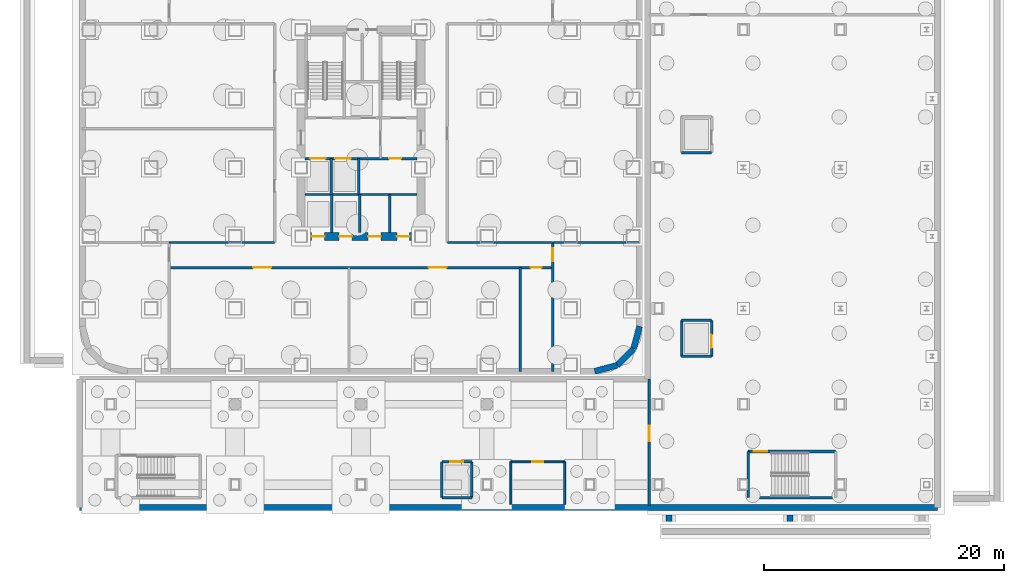
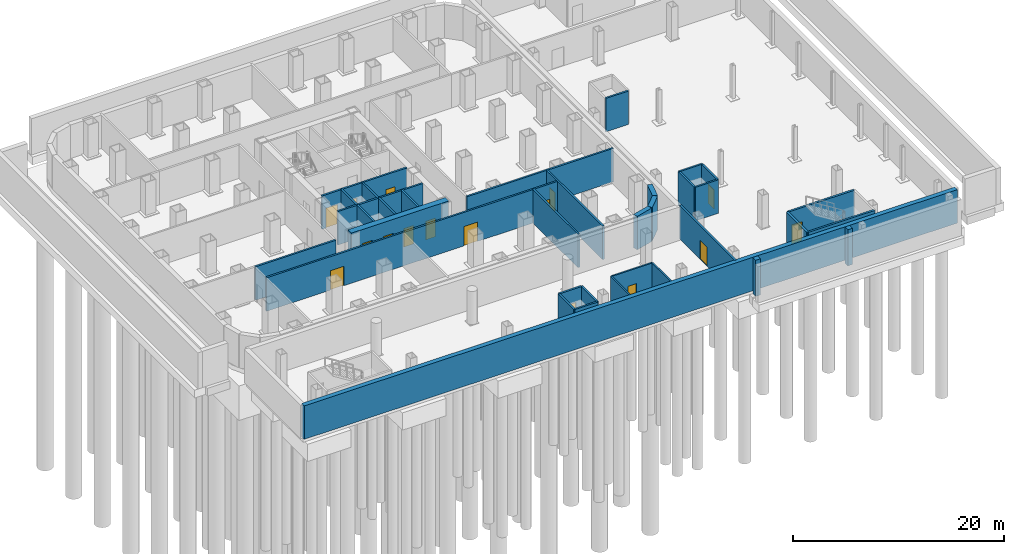
# One storey, part 7 of 16: 36 walls, 16 doors, 16 openings.
"""IFC4 building model written with IfcOpenShell, lengths in metres."""

from ifc_helpers import new_model, si_unit, direction, frame, frame_2d, origin, place, context, subcontext, project, spatial, rectangle, extrude, material, layer, layer_set, type_object, element, fill, save


model = new_model("IFC4")

# Units and contexts
model_context = context("Model", 3, precision=1e-05, world=origin(), true_north=direction((0.0, 1.0)))
body_context = subcontext(model_context, "Body", "Model", "MODEL_VIEW")
ifc_project = project(units=[si_unit("LENGTHUNIT", "METRE"), si_unit("AREAUNIT", "SQUARE_METRE"), si_unit("VOLUMEUNIT", "CUBIC_METRE"), si_unit("PLANEANGLEUNIT", "RADIAN"), si_unit("MASSUNIT", "GRAM", prefix="KILO")], contexts=[model_context])

# Site, building, storey
site_placement = place(None, origin())
site = spatial("IfcSite", under=ifc_project, at=site_placement, CompositionType="ELEMENT")
building_placement = place(site_placement, origin())
building = spatial("IfcBuilding", under=site, at=building_placement, Name="Kolveth Station Tower", CompositionType="ELEMENT")
storey_placement = place(building_placement, frame((0.0, 0.0, -8.39990234375)))
storey = spatial("IfcBuildingStorey", under=building, at=storey_placement, Name="B2", CompositionType="ELEMENT", Elevation=-8.39990234375)

# Wall, openings, doors
ifc_material_1 = material(Name="Concrete C60/75", Category="concrete")
ifc_layer_1 = layer(ifc_material_1, 0.64990234375)
ifc_layer_set_1 = layer_set([ifc_layer_1], Name="Concrete C60/75")
wall_type_1 = type_object("IfcWallType", Name="Wall_CW-650", PredefinedType="SHEAR", material=ifc_layer_set_1)
wall_1_placement = place(storey_placement, frame((18.175048828125, 11.5, 0.0), z_axis=(0.0, 0.0, 1.0), x_axis=(1.0, 0.0, 0.0)))
wall_1 = element("IfcWall", 1, at=wall_1_placement, inside=storey, type_object=wall_type_1, Name="B2 Core RC Shear Wall S", PredefinedType="SHEAR", context=body_context, shape_type="SweptSolid", body=[
    extrude(rectangle(XDim=10.64990234375, YDim=0.64990234375, at=frame_2d((5.324951171875, 0.0))), origin(), (0.0, 0.0, 1.0), 3.8798828125),
])
opening_1_placement = place(wall_1_placement, frame((1.195068359375, 0.0, 0.0)))
opening_1 = element("IfcOpeningElement", 2, at=opening_1_placement, cuts=wall_1, Name="Opening LD1", PredefinedType="OPENING", context=body_context, shape_type="SweptSolid", body=[
    extrude(rectangle(XDim=1.10009765625, YDim=2.25, at=frame_2d((0.550048828125, 1.125))), frame((0.0, 0.3349609375, 0.0), z_axis=(0.0, -1.0, 0.0), x_axis=(1.0, 0.0, 0.0)), (0.0, 0.0, 1.0), 0.669921875),
])
opening_2_placement = place(wall_1_placement, frame((3.4951171875, 0.0, 0.0)))
opening_2 = element("IfcOpeningElement", 3, at=opening_2_placement, cuts=wall_1, Name="Opening LD1", PredefinedType="OPENING", context=body_context, shape_type="SweptSolid", body=[
    extrude(rectangle(XDim=1.10009765625, YDim=2.25, at=frame_2d((0.550048828125, 1.125))), frame((0.0, 0.3349609375, 0.0), z_axis=(0.0, -1.0, 0.0), x_axis=(1.0, 0.0, 0.0)), (0.0, 0.0, 1.0), 0.669921875),
])
opening_3_placement = place(wall_1_placement, frame((5.925048828125, 0.0, 0.0)))
opening_3 = element("IfcOpeningElement", 4, at=opening_3_placement, cuts=wall_1, Name="Opening FD2", PredefinedType="OPENING", context=body_context, shape_type="SweptSolid", body=[
    extrude(rectangle(XDim=1.050048828125, YDim=2.14990234375, at=frame_2d((0.52490234375, 1.074951171875))), frame((0.0, 0.3349609375, 0.0), z_axis=(0.0, -1.0, 0.0), x_axis=(1.0, 0.0, 0.0)), (0.0, 0.0, 1.0), 0.669921875),
])
opening_4_placement = place(wall_1_placement, frame((8.324951171875, 0.0, 0.0)))
opening_4 = element("IfcOpeningElement", 5, at=opening_4_placement, cuts=wall_1, Name="Opening FD2", PredefinedType="OPENING", context=body_context, shape_type="SweptSolid", body=[
    extrude(rectangle(XDim=1.050048828125, YDim=2.14990234375, at=frame_2d((0.52490234375, 1.074951171875))), frame((0.0, 0.3349609375, 0.0), z_axis=(0.0, -1.0, 0.0), x_axis=(1.0, 0.0, 0.0)), (0.0, 0.0, 1.0), 0.669921875),
])
ifc_material_2 = material(Name="Fire-rated Steel S355 leaf and frame", Category="steel")
door_type_1 = type_object("IfcDoorType", Name="Door_FD2", OperationType="NOTDEFINED", PredefinedType="DOOR", material=ifc_material_2)
door_1_placement = place(opening_3_placement, frame((1.050048828125, 0.0, 0.0), z_axis=(0.0, 0.0, 1.0), x_axis=(-1.0, 0.0, 0.0)))
door_1 = element("IfcDoor", 6, at=door_1_placement, inside=storey, type_object=door_type_1, Name="B2 Meter Room Door", OperationType="SINGLE_SWING_RIGHT", OverallHeight=2.14990234375, OverallWidth=1.050048828125, PredefinedType="DOOR", context=body_context, shape_type="SweptSolid", body=[
    extrude(rectangle(XDim=1.050048828125, YDim=2.14990234375, at=frame_2d((0.52490234375, 1.074951171875))), frame((0.0, 0.02490234375, 0.0), z_axis=(0.0, -1.0, 0.0), x_axis=(1.0, 0.0, 0.0)), (0.0, 0.0, 1.0), 0.050048828125),
])
fill(opening_3, door_1)
door_2_placement = place(opening_4_placement, frame((1.050048828125, 0.0, 0.0), z_axis=(0.0, 0.0, 1.0), x_axis=(-1.0, 0.0, 0.0)))
door_2 = element("IfcDoor", 7, at=door_2_placement, inside=storey, type_object=door_type_1, Name="B2 Telecom Room Door", OperationType="SINGLE_SWING_LEFT", OverallHeight=2.14990234375, OverallWidth=1.050048828125, PredefinedType="DOOR", context=body_context, shape_type="SweptSolid", body=[
    extrude(rectangle(XDim=1.050048828125, YDim=2.14990234375, at=frame_2d((0.52490234375, 1.074951171875))), frame((0.0, 0.02490234375, 0.0), z_axis=(0.0, -1.0, 0.0), x_axis=(1.0, 0.0, 0.0)), (0.0, 0.0, 1.0), 0.050048828125),
])
fill(opening_4, door_2)
ifc_material_3 = material(Name="Brushed stainless steel sliding landing doors", Category="steel")
door_type_2 = type_object("IfcDoorType", Name="Door_LD1", OperationType="NOTDEFINED", PredefinedType="DOOR", material=ifc_material_3)
door_3_placement = place(opening_1_placement, frame((1.10009765625, 0.0, 0.0), z_axis=(0.0, 0.0, 1.0), x_axis=(-1.0, 0.0, 0.0)))
door_3 = element("IfcDoor", 8, at=door_3_placement, inside=storey, type_object=door_type_2, Name="B2 Lift PL1 Landing Door", OperationType="DOUBLE_DOOR_SLIDING", OverallHeight=2.25, OverallWidth=1.10009765625, PredefinedType="DOOR", context=body_context, shape_type="SweptSolid", body=[
    extrude(rectangle(XDim=1.10009765625, YDim=2.25, at=frame_2d((0.550048828125, 1.125))), frame((0.0, 0.02490234375, 0.0), z_axis=(0.0, -1.0, 0.0), x_axis=(1.0, 0.0, 0.0)), (0.0, 0.0, 1.0), 0.050048828125),
])
fill(opening_1, door_3)
door_4_placement = place(opening_2_placement, frame((1.10009765625, 0.0, 0.0), z_axis=(0.0, 0.0, 1.0), x_axis=(-1.0, 0.0, 0.0)))
door_4 = element("IfcDoor", 9, at=door_4_placement, inside=storey, type_object=door_type_2, Name="B2 Lift PL2 Landing Door", OperationType="DOUBLE_DOOR_SLIDING", OverallHeight=2.25, OverallWidth=1.10009765625, PredefinedType="DOOR", context=body_context, shape_type="SweptSolid", body=[
    extrude(rectangle(XDim=1.10009765625, YDim=2.25, at=frame_2d((0.550048828125, 1.125))), frame((0.0, 0.02490234375, 0.0), z_axis=(0.0, -1.0, 0.0), x_axis=(1.0, 0.0, 0.0)), (0.0, 0.0, 1.0), 0.050048828125),
])
fill(opening_2, door_4)

# Wall, opening, door
ifc_material_4 = material(Name="Acoustic double-stud gypsum partition")
ifc_layer_2 = layer(ifc_material_4, 0.1650390625)
ifc_layer_set_2 = layer_set([ifc_layer_2], Name="Acoustic double-stud gypsum partition")
wall_type_2 = type_object("IfcWallType", Name="Wall_IW-165", PredefinedType="PARTITIONING", material=ifc_layer_set_2)
wall_2_placement = place(storey_placement, frame((36.0, -7.300048828125, 0.0), z_axis=(0.0, 0.0, 1.0), x_axis=(1.0, 0.0, 0.0)))
wall_2 = element("IfcWall", 10, at=wall_2_placement, inside=storey, type_object=wall_type_2, Name="B2 Partition Wall WL-B2-SWC-N", PredefinedType="PARTITIONING", context=body_context, shape_type="SweptSolid", body=[
    extrude(rectangle(XDim=4.5, YDim=0.1650390625, at=frame_2d((2.25, 0.0))), origin(), (0.0, 0.0, 1.0), 3.8798828125),
])
opening_5_placement = place(wall_2_placement, frame((1.800048828125, 0.0, 0.0)))
opening_5 = element("IfcOpeningElement", 11, at=opening_5_placement, cuts=wall_2, Name="Opening ID2", PredefinedType="OPENING", context=body_context, shape_type="SweptSolid", body=[
    extrude(rectangle(XDim=0.919921875, YDim=2.10009765625, at=frame_2d((0.4599609375, 1.050048828125))), frame((0.0, 0.092529296875, 0.0), z_axis=(0.0, -1.0, 0.0), x_axis=(1.0, 0.0, 0.0)), (0.0, 0.0, 1.0), 0.18505859375),
])
ifc_material_5 = material(Name="Moisture-resistant hardwood leaf", Category="wood")
door_type_3 = type_object("IfcDoorType", Name="Door_ID2", OperationType="NOTDEFINED", PredefinedType="DOOR", material=ifc_material_5)
door_5_placement = place(opening_5_placement, origin())
door_5 = element("IfcDoor", 12, at=door_5_placement, inside=storey, type_object=door_type_3, Name="B2 Station Accessible WC Door", OperationType="SINGLE_SWING_LEFT", OverallHeight=2.10009765625, OverallWidth=0.919921875, PredefinedType="DOOR", context=body_context, shape_type="SweptSolid", body=[
    extrude(rectangle(XDim=0.919921875, YDim=2.10009765625, at=frame_2d((0.4599609375, 1.050048828125))), frame((0.0, 0.02490234375, 0.0), z_axis=(0.0, -1.0, 0.0), x_axis=(1.0, 0.0, 0.0)), (0.0, 0.0, 1.0), 0.050048828125),
])
fill(opening_5, door_5)

# Walls
for number, where, z_axis, x_axis, name in (
    (13, (36.0, -10.85009765625, 0.0), (0.0, 0.0, 1.0), (0.0, 1.0, 0.0), "B2 Partition Wall WL-B2-SWC-W"),
    (14, (40.5, -10.85009765625, 0.0), (0.0, 0.0, 1.0), (0.0, 1.0, 0.0), "B2 Partition Wall WL-B2-SWC-E"),
):
    element("IfcWall", number, at=place(storey_placement, frame(where, z_axis=z_axis, x_axis=x_axis)), inside=storey, type_object=wall_type_2, Name=name, PredefinedType="PARTITIONING", context=body_context, shape_type="SweptSolid", body=[
        extrude(rectangle(XDim=3.550048828125, YDim=0.1650390625, at=frame_2d((1.77490234375, 0.0))), origin(), (0.0, 0.0, 1.0), 3.8798828125),
    ])

# Wall, openings, doors
ifc_material_6 = material(Name="Acoustic fire-rated gypsum blockwork", Category="masonry")
ifc_layer_3 = layer(ifc_material_6, 0.199951171875)
ifc_layer_set_3 = layer_set([ifc_layer_3], Name="Acoustic fire-rated gypsum blockwork")
wall_type_3 = type_object("IfcWallType", Name="Wall_IW-200", PredefinedType="PARTITIONING", material=ifc_layer_set_3)
wall_3_placement = place(storey_placement, frame((18.8349609375, 18.0, 0.0), z_axis=(0.0, 0.0, 1.0), x_axis=(1.0, 0.0, 0.0)))
wall_3 = element("IfcWall", 15, at=wall_3_placement, inside=storey, type_object=wall_type_3, Name="B2 Partition Wall WL-B2-FFL-S", PredefinedType="PARTITIONING", context=body_context, shape_type="SweptSolid", body=[
    extrude(rectangle(XDim=9.330078125, YDim=0.199951171875, at=frame_2d((4.6650390625, 0.0))), origin(), (0.0, 0.0, 1.0), 3.8798828125),
])
opening_6_placement = place(wall_3_placement, frame((0.4150390625, 0.0, 0.0)))
opening_6 = element("IfcOpeningElement", 16, at=opening_6_placement, cuts=wall_3, Name="Opening LD2", PredefinedType="OPENING", context=body_context, shape_type="SweptSolid", body=[
    extrude(rectangle(XDim=1.300048828125, YDim=2.300048828125, at=frame_2d((0.64990234375, 1.14990234375))), frame((0.0, 0.10986328125, 0.0), z_axis=(0.0, -1.0, 0.0), x_axis=(1.0, 0.0, 0.0)), (0.0, 0.0, 1.0), 0.219970703125),
])
opening_7_placement = place(wall_3_placement, frame((2.514892578125, 0.0, 0.0)))
opening_7 = element("IfcOpeningElement", 17, at=opening_7_placement, cuts=wall_3, Name="Opening LD2", PredefinedType="OPENING", context=body_context, shape_type="SweptSolid", body=[
    extrude(rectangle(XDim=1.300048828125, YDim=2.300048828125, at=frame_2d((0.64990234375, 1.14990234375))), frame((0.0, 0.10986328125, 0.0), z_axis=(0.0, -1.0, 0.0), x_axis=(1.0, 0.0, 0.0)), (0.0, 0.0, 1.0), 0.219970703125),
])
opening_8_placement = place(wall_3_placement, frame((7.014892578125, 0.0, 0.0)))
opening_8 = element("IfcOpeningElement", 18, at=opening_8_placement, cuts=wall_3, Name="Opening FD3", PredefinedType="OPENING", context=body_context, shape_type="SweptSolid", body=[
    extrude(rectangle(XDim=1.0, YDim=2.14990234375, at=frame_2d((0.5, 1.074951171875))), frame((0.0, 0.10986328125, 0.0), z_axis=(0.0, -1.0, 0.0), x_axis=(1.0, 0.0, 0.0)), (0.0, 0.0, 1.0), 0.219970703125),
])
ifc_material_7 = material(Name="Fire-rated hardwood leaf and aluminium frame", Category="wood")
door_type_4 = type_object("IfcDoorType", Name="Door_FD3", OperationType="NOTDEFINED", PredefinedType="DOOR", material=ifc_material_7)
door_6_placement = place(opening_8_placement, frame((1.0, 0.0, 0.0), z_axis=(0.0, 0.0, 1.0), x_axis=(-1.0, 0.0, 0.0)))
door_6 = element("IfcDoor", 19, at=door_6_placement, inside=storey, type_object=door_type_4, Name="B2 Core Staff Pantry Door", OperationType="SINGLE_SWING_LEFT", OverallHeight=2.14990234375, OverallWidth=1.0, PredefinedType="DOOR", context=body_context, shape_type="SweptSolid", body=[
    extrude(rectangle(XDim=1.0, YDim=2.14990234375, at=frame_2d((0.5, 1.074951171875))), frame((0.0, 0.02490234375, 0.0), z_axis=(0.0, -1.0, 0.0), x_axis=(1.0, 0.0, 0.0)), (0.0, 0.0, 1.0), 0.050048828125),
])
fill(opening_8, door_6)
ifc_material_8 = material(Name="Firefighting stainless steel sliding landing doors", Category="steel")
door_type_5 = type_object("IfcDoorType", Name="Door_LD2", OperationType="NOTDEFINED", PredefinedType="DOOR", material=ifc_material_8)
door_7_placement = place(opening_6_placement, origin())
door_7 = element("IfcDoor", 20, at=door_7_placement, inside=storey, type_object=door_type_5, Name="B2 Firefighting Lift FF1 Landing Door", OperationType="DOUBLE_DOOR_SLIDING", OverallHeight=2.300048828125, OverallWidth=1.300048828125, PredefinedType="DOOR", context=body_context, shape_type="SweptSolid", body=[
    extrude(rectangle(XDim=1.300048828125, YDim=2.300048828125, at=frame_2d((0.64990234375, 1.14990234375))), frame((0.0, 0.02490234375, 0.0), z_axis=(0.0, -1.0, 0.0), x_axis=(1.0, 0.0, 0.0)), (0.0, 0.0, 1.0), 0.050048828125),
])
fill(opening_6, door_7)
door_8_placement = place(opening_7_placement, origin())
door_8 = element("IfcDoor", 21, at=door_8_placement, inside=storey, type_object=door_type_5, Name="B2 Firefighting Lift FF2 Landing Door", OperationType="DOUBLE_DOOR_SLIDING", OverallHeight=2.300048828125, OverallWidth=1.300048828125, PredefinedType="DOOR", context=body_context, shape_type="SweptSolid", body=[
    extrude(rectangle(XDim=1.300048828125, YDim=2.300048828125, at=frame_2d((0.64990234375, 1.14990234375))), frame((0.0, 0.02490234375, 0.0), z_axis=(0.0, -1.0, 0.0), x_axis=(1.0, 0.0, 0.0)), (0.0, 0.0, 1.0), 0.050048828125),
])
fill(opening_7, door_8)

# Walls
for number, where, z_axis, x_axis, name in (
    (22, (21.02001953125, 15.0, 0.0), (0.0, 0.0, 1.0), (0.0, 1.0, 0.0), "B2 Partition Wall WL-B2-FF12"),
    (23, (23.300048828125, 15.0, 0.0), (0.0, 0.0, 1.0), (0.0, 1.0, 0.0), "B2 Partition Wall WL-B2-FF2E"),
):
    element("IfcWall", number, at=place(storey_placement, frame(where, z_axis=z_axis, x_axis=x_axis)), inside=storey, type_object=wall_type_3, Name=name, PredefinedType="PARTITIONING", context=body_context, shape_type="SweptSolid", body=[
        extrude(rectangle(XDim=3.0, YDim=0.199951171875, at=frame_2d((1.5, 0.0))), origin(), (0.0, 0.0, 1.0), 3.8798828125),
    ])
wall_4_placement = place(storey_placement, frame((18.8349609375, 15.0, 0.0), z_axis=(0.0, 0.0, 1.0), x_axis=(1.0, 0.0, 0.0)))
element("IfcWall", 24, at=wall_4_placement, inside=storey, type_object=wall_type_3, Name="B2 Partition Wall WL-B2-BOH-S", PredefinedType="PARTITIONING", context=body_context, shape_type="SweptSolid", body=[
    extrude(rectangle(XDim=9.330078125, YDim=0.199951171875, at=frame_2d((4.6650390625, 0.0))), origin(), (0.0, 0.0, 1.0), 3.8798828125),
])
for number, where, z_axis, x_axis, name in (
    (25, (21.050048828125, 11.8349609375, 0.0), (0.0, 0.0, 1.0), (0.0, 1.0, 0.0), "B2 Partition Wall WL-B2-PL12"),
    (26, (23.39990234375, 11.8349609375, 0.0), (0.0, 0.0, 1.0), (0.0, 1.0, 0.0), "B2 Partition Wall WL-B2-PL2E"),
    (27, (25.89990234375, 11.8349609375, 0.0), (0.0, 0.0, 1.0), (0.0, 1.0, 0.0), "B2 Partition Wall WL-B2-PMPH"),
):
    element("IfcWall", number, at=place(storey_placement, frame(where, z_axis=z_axis, x_axis=x_axis)), inside=storey, type_object=wall_type_3, Name=name, PredefinedType="PARTITIONING", context=body_context, shape_type="SweptSolid", body=[
        extrude(rectangle(XDim=3.1650390625, YDim=0.199951171875, at=frame_2d((1.58251953125, 0.0))), origin(), (0.0, 0.0, 1.0), 3.8798828125),
    ])

# Wall, openings, doors
wall_5_placement = place(storey_placement, frame((7.5, 8.89990234375, 0.0), z_axis=(0.0, 0.0, 1.0), x_axis=(1.0, 0.0, 0.0)))
wall_5 = element("IfcWall", 28, at=wall_5_placement, inside=storey, type_object=wall_type_3, Name="B2 Partition Wall WL-B2-BS", PredefinedType="PARTITIONING", context=body_context, shape_type="SweptSolid", body=[
    extrude(rectangle(XDim=32.0, YDim=0.199951171875, at=frame_2d((16.0, 0.0))), origin(), (0.0, 0.0, 1.0), 3.8798828125),
])
opening_9_placement = place(wall_5_placement, frame((7.0, 0.0, 0.0)))
opening_9 = element("IfcOpeningElement", 29, at=opening_9_placement, cuts=wall_5, Name="Opening FD4", PredefinedType="OPENING", context=body_context, shape_type="SweptSolid", body=[
    extrude(rectangle(XDim=1.5, YDim=2.25, at=frame_2d((0.75, 1.125))), frame((0.0, 0.10986328125, 0.0), z_axis=(0.0, -1.0, 0.0), x_axis=(1.0, 0.0, 0.0)), (0.0, 0.0, 1.0), 0.219970703125),
])
opening_10_placement = place(wall_5_placement, frame((21.64990234375, 0.0, 0.0)))
opening_10 = element("IfcOpeningElement", 30, at=opening_10_placement, cuts=wall_5, Name="Opening FD4", PredefinedType="OPENING", context=body_context, shape_type="SweptSolid", body=[
    extrude(rectangle(XDim=1.5, YDim=2.25, at=frame_2d((0.75, 1.125))), frame((0.0, 0.10986328125, 0.0), z_axis=(0.0, -1.0, 0.0), x_axis=(1.0, 0.0, 0.0)), (0.0, 0.0, 1.0), 0.219970703125),
])
opening_11_placement = place(wall_5_placement, frame((30.14990234375, 0.0, 0.0)))
opening_11 = element("IfcOpeningElement", 31, at=opening_11_placement, cuts=wall_5, Name="Opening ID2", PredefinedType="OPENING", context=body_context, shape_type="SweptSolid", body=[
    extrude(rectangle(XDim=0.919921875, YDim=2.10009765625, at=frame_2d((0.4599609375, 1.050048828125))), frame((0.0, 0.10986328125, 0.0), z_axis=(0.0, -1.0, 0.0), x_axis=(1.0, 0.0, 0.0)), (0.0, 0.0, 1.0), 0.219970703125),
])
ifc_material_9 = material(Name="Fire-rated double Steel S355 leaf", Category="steel")
door_type_6 = type_object("IfcDoorType", Name="Door_FD4", OperationType="NOTDEFINED", PredefinedType="DOOR", material=ifc_material_9)
door_9_placement = place(opening_9_placement, frame((1.5, 0.0, 0.0), z_axis=(0.0, 0.0, 1.0), x_axis=(-1.0, 0.0, 0.0)))
door_9 = element("IfcDoor", 32, at=door_9_placement, inside=storey, type_object=door_type_6, Name="B2 Chiller Plant Room Door", OperationType="SINGLE_SWING_RIGHT", OverallHeight=2.25, OverallWidth=1.5, PredefinedType="DOOR", context=body_context, shape_type="SweptSolid", body=[
    extrude(rectangle(XDim=1.5, YDim=2.25, at=frame_2d((0.75, 1.125))), frame((0.0, 0.02490234375, 0.0), z_axis=(0.0, -1.0, 0.0), x_axis=(1.0, 0.0, 0.0)), (0.0, 0.0, 1.0), 0.050048828125),
])
fill(opening_9, door_9)
door_10_placement = place(opening_10_placement, frame((1.5, 0.0, 0.0), z_axis=(0.0, 0.0, 1.0), x_axis=(-1.0, 0.0, 0.0)))
door_10 = element("IfcDoor", 33, at=door_10_placement, inside=storey, type_object=door_type_6, Name="B2 Fire and Domestic Water Tank Room Door", OperationType="SINGLE_SWING_LEFT", OverallHeight=2.25, OverallWidth=1.5, PredefinedType="DOOR", context=body_context, shape_type="SweptSolid", body=[
    extrude(rectangle(XDim=1.5, YDim=2.25, at=frame_2d((0.75, 1.125))), frame((0.0, 0.02490234375, 0.0), z_axis=(0.0, -1.0, 0.0), x_axis=(1.0, 0.0, 0.0)), (0.0, 0.0, 1.0), 0.050048828125),
])
fill(opening_10, door_10)
door_11_placement = place(opening_11_placement, frame((0.919921875, 0.0, 0.0), z_axis=(0.0, 0.0, 1.0), x_axis=(-1.0, 0.0, 0.0)))
door_11 = element("IfcDoor", 34, at=door_11_placement, inside=storey, type_object=door_type_3, Name="B2 Staff Accessible WC Door", OperationType="SINGLE_SWING_RIGHT", OverallHeight=2.10009765625, OverallWidth=0.919921875, PredefinedType="DOOR", context=body_context, shape_type="SweptSolid", body=[
    extrude(rectangle(XDim=0.919921875, YDim=2.10009765625, at=frame_2d((0.4599609375, 1.050048828125))), frame((0.0, 0.02490234375, 0.0), z_axis=(0.0, -1.0, 0.0), x_axis=(1.0, 0.0, 0.0)), (0.0, 0.0, 1.0), 0.050048828125),
])
fill(opening_11, door_11)

# Walls
for number, where, z_axis, x_axis, name in (
    (35, (7.5, 11.0, 0.0), (0.0, 0.0, 1.0), (1.0, 0.0, 0.0), "B2 Partition Wall WL-B2-BSWT"),
    (36, (30.699951171875, 11.0, 0.0), (0.0, 0.0, 1.0), (1.0, 0.0, 0.0), "B2 Partition Wall WL-B2-BSET"),
):
    element("IfcWall", number, at=place(storey_placement, frame(where, z_axis=z_axis, x_axis=x_axis)), inside=storey, type_object=wall_type_3, Name=name, PredefinedType="PARTITIONING", context=body_context, shape_type="SweptSolid", body=[
        extrude(rectangle(XDim=8.800048828125, YDim=0.199951171875, at=frame_2d((4.39990234375, 0.0))), origin(), (0.0, 0.0, 1.0), 3.8798828125),
    ])

# Wall, opening, door
wall_6_placement = place(storey_placement, frame((39.5, 0.25, 0.0), z_axis=(0.0, 0.0, 1.0), x_axis=(0.0, 1.0, 0.0)))
wall_6 = element("IfcWall", 37, at=wall_6_placement, inside=storey, type_object=wall_type_3, Name="B2 Partition Wall WL-B2-BES", PredefinedType="PARTITIONING", context=body_context, shape_type="SweptSolid", body=[
    extrude(rectangle(XDim=10.75, YDim=0.199951171875, at=frame_2d((5.375, 0.0))), origin(), (0.0, 0.0, 1.0), 3.8798828125),
])
opening_12_placement = place(wall_6_placement, frame((9.199951171875, 0.0, 0.0)))
opening_12 = element("IfcOpeningElement", 38, at=opening_12_placement, cuts=wall_6, Name="Opening FD2", PredefinedType="OPENING", context=body_context, shape_type="SweptSolid", body=[
    extrude(rectangle(XDim=1.050048828125, YDim=2.14990234375, at=frame_2d((0.52490234375, 1.074951171875))), frame((0.0, 0.10986328125, 0.0), z_axis=(0.0, -1.0, 0.0), x_axis=(1.0, 0.0, 0.0)), (0.0, 0.0, 1.0), 0.219970703125),
])
door_12_placement = place(opening_12_placement, origin())
door_12 = element("IfcDoor", 39, at=door_12_placement, inside=storey, type_object=door_type_1, Name="B2 Auxiliary MEP Plant Room CSE Door", OperationType="SINGLE_SWING_LEFT", OverallHeight=2.14990234375, OverallWidth=1.050048828125, PredefinedType="DOOR", context=body_context, shape_type="SweptSolid", body=[
    extrude(rectangle(XDim=1.050048828125, YDim=2.14990234375, at=frame_2d((0.52490234375, 1.074951171875))), frame((0.0, 0.02490234375, 0.0), z_axis=(0.0, -1.0, 0.0), x_axis=(1.0, 0.0, 0.0)), (0.0, 0.0, 1.0), 0.050048828125),
])
fill(opening_12, door_12)

# Walls
wall_7_placement = place(storey_placement, frame((39.5, 11.0, 0.0), z_axis=(0.0, 0.0, 1.0), x_axis=(1.0, 0.0, 0.0)))
element("IfcWall", 40, at=wall_7_placement, inside=storey, type_object=wall_type_3, Name="B2 Partition Wall WL-B2-BEM1", PredefinedType="PARTITIONING", context=body_context, shape_type="SweptSolid", body=[
    extrude(rectangle(XDim=7.25, YDim=0.199951171875, at=frame_2d((3.625, 0.0))), origin(), (0.0, 0.0, 1.0), 3.8798828125),
])
wall_8_placement = place(storey_placement, frame((36.800048828125, 0.25, 0.0), z_axis=(0.0, 0.0, 1.0), x_axis=(0.0, 1.0, 0.0)))
element("IfcWall", 41, at=wall_8_placement, inside=storey, type_object=wall_type_3, Name="B2 Partition Wall WL-B2-TBS-P2", PredefinedType="PARTITIONING", context=body_context, shape_type="SweptSolid", body=[
    extrude(rectangle(XDim=8.64990234375, YDim=0.199951171875, at=frame_2d((4.324951171875, 0.0))), origin(), (0.0, 0.0, 1.0), 3.8798828125),
])
for number, where, z_axis, x_axis, name in (
    (42, (50.25, 1.5, 0.0), (0.0, 0.0, 1.0), (1.0, 0.0, 0.0), "B2 Partition Wall WL-B2-SL1-S"),
    (43, (50.25, 4.5, 0.0), (0.0, 0.0, 1.0), (1.0, 0.0, 0.0), "B2 Partition Wall WL-B2-SL1-N"),
):
    element("IfcWall", number, at=place(storey_placement, frame(where, z_axis=z_axis, x_axis=x_axis)), inside=storey, type_object=wall_type_3, Name=name, PredefinedType="PARTITIONING", context=body_context, shape_type="SweptSolid", body=[
        extrude(rectangle(XDim=2.5, YDim=0.199951171875, at=frame_2d((1.25, 0.0))), origin(), (0.0, 0.0, 1.0), 3.8798828125),
    ])
wall_9_placement = place(storey_placement, frame((50.25, 1.5, 0.0), z_axis=(0.0, 0.0, 1.0), x_axis=(0.0, 1.0, 0.0)))
element("IfcWall", 44, at=wall_9_placement, inside=storey, type_object=wall_type_3, Name="B2 Partition Wall WL-B2-SL1-W", PredefinedType="PARTITIONING", context=body_context, shape_type="SweptSolid", body=[
    extrude(rectangle(XDim=3.0, YDim=0.199951171875, at=frame_2d((1.5, 0.0))), origin(), (0.0, 0.0, 1.0), 3.8798828125),
])

# Wall, opening, door
wall_10_placement = place(storey_placement, frame((52.75, 1.5, 0.0), z_axis=(0.0, 0.0, 1.0), x_axis=(0.0, 1.0, 0.0)))
wall_10 = element("IfcWall", 45, at=wall_10_placement, inside=storey, type_object=wall_type_3, Name="B2 Partition Wall WL-B2-SL1-E", PredefinedType="PARTITIONING", context=body_context, shape_type="SweptSolid", body=[
    extrude(rectangle(XDim=3.0, YDim=0.199951171875, at=frame_2d((1.5, 0.0))), origin(), (0.0, 0.0, 1.0), 3.8798828125),
])
opening_13_placement = place(wall_10_placement, frame((0.699951171875, 0.0, 0.0)))
opening_13 = element("IfcOpeningElement", 46, at=opening_13_placement, cuts=wall_10, Name="Opening LD1", PredefinedType="OPENING", context=body_context, shape_type="SweptSolid", body=[
    extrude(rectangle(XDim=1.10009765625, YDim=2.25, at=frame_2d((0.550048828125, 1.125))), frame((0.0, 0.10986328125, 0.0), z_axis=(0.0, -1.0, 0.0), x_axis=(1.0, 0.0, 0.0)), (0.0, 0.0, 1.0), 0.219970703125),
])
door_13_placement = place(opening_13_placement, origin())
door_13 = element("IfcDoor", 47, at=door_13_placement, inside=storey, type_object=door_type_2, Name="B2 Station Lift SL1 Landing Door", OperationType="DOUBLE_DOOR_SLIDING", OverallHeight=2.25, OverallWidth=1.10009765625, PredefinedType="DOOR", context=body_context, shape_type="SweptSolid", body=[
    extrude(rectangle(XDim=1.10009765625, YDim=2.25, at=frame_2d((0.550048828125, 1.125))), frame((0.0, 0.02490234375, 0.0), z_axis=(0.0, -1.0, 0.0), x_axis=(1.0, 0.0, 0.0)), (0.0, 0.0, 1.0), 0.050048828125),
])
fill(opening_13, door_13)

# Walls
for number, where, z_axis, x_axis, name in (
    (48, (50.25, 18.5, 0.0), (0.0, 0.0, 1.0), (1.0, 0.0, 0.0), "B2 Partition Wall WL-B2-SL2-S"),
    (49, (30.25, -10.300048828125, 0.0), (0.0, 0.0, 1.0), (1.0, 0.0, 0.0), "B2 Partition Wall WL-B2-SL3-S"),
):
    element("IfcWall", number, at=place(storey_placement, frame(where, z_axis=z_axis, x_axis=x_axis)), inside=storey, type_object=wall_type_3, Name=name, PredefinedType="PARTITIONING", context=body_context, shape_type="SweptSolid", body=[
        extrude(rectangle(XDim=2.5, YDim=0.199951171875, at=frame_2d((1.25, 0.0))), origin(), (0.0, 0.0, 1.0), 3.8798828125),
    ])

# Wall, opening, door
wall_11_placement = place(storey_placement, frame((30.25, -7.300048828125, 0.0), z_axis=(0.0, 0.0, 1.0), x_axis=(1.0, 0.0, 0.0)))
wall_11 = element("IfcWall", 50, at=wall_11_placement, inside=storey, type_object=wall_type_3, Name="B2 Partition Wall WL-B2-SL3-N", PredefinedType="PARTITIONING", context=body_context, shape_type="SweptSolid", body=[
    extrude(rectangle(XDim=2.5, YDim=0.199951171875, at=frame_2d((1.25, 0.0))), origin(), (0.0, 0.0, 1.0), 3.8798828125),
])
opening_14_placement = place(wall_11_placement, frame((0.699951171875, 0.0, 0.0)))
opening_14 = element("IfcOpeningElement", 51, at=opening_14_placement, cuts=wall_11, Name="Opening LD1", PredefinedType="OPENING", context=body_context, shape_type="SweptSolid", body=[
    extrude(rectangle(XDim=1.10009765625, YDim=2.25, at=frame_2d((0.550048828125, 1.125))), frame((0.0, 0.10986328125, 0.0), z_axis=(0.0, -1.0, 0.0), x_axis=(1.0, 0.0, 0.0)), (0.0, 0.0, 1.0), 0.219970703125),
])
door_14_placement = place(opening_14_placement, origin())
door_14 = element("IfcDoor", 52, at=door_14_placement, inside=storey, type_object=door_type_2, Name="B2 Station Lift SL3 Landing Door", OperationType="DOUBLE_DOOR_SLIDING", OverallHeight=2.25, OverallWidth=1.10009765625, PredefinedType="DOOR", context=body_context, shape_type="SweptSolid", body=[
    extrude(rectangle(XDim=1.10009765625, YDim=2.25, at=frame_2d((0.550048828125, 1.125))), frame((0.0, 0.02490234375, 0.0), z_axis=(0.0, -1.0, 0.0), x_axis=(1.0, 0.0, 0.0)), (0.0, 0.0, 1.0), 0.050048828125),
])
fill(opening_14, door_14)

# Walls
for number, where, z_axis, x_axis, name in (
    (53, (30.25, -10.300048828125, 0.0), (0.0, 0.0, 1.0), (0.0, 1.0, 0.0), "B2 Partition Wall WL-B2-SL3-W"),
    (54, (32.75, -10.300048828125, 0.0), (0.0, 0.0, 1.0), (0.0, 1.0, 0.0), "B2 Partition Wall WL-B2-SL3-E"),
):
    element("IfcWall", number, at=place(storey_placement, frame(where, z_axis=z_axis, x_axis=x_axis)), inside=storey, type_object=wall_type_3, Name=name, PredefinedType="PARTITIONING", context=body_context, shape_type="SweptSolid", body=[
        extrude(rectangle(XDim=3.0, YDim=0.199951171875, at=frame_2d((1.5, 0.0))), origin(), (0.0, 0.0, 1.0), 3.8798828125),
    ])

# Wall, opening, door
wall_12_placement = place(storey_placement, frame((47.550048828125, -10.949951171875, 0.0), z_axis=(0.0, 0.0, 1.0), x_axis=(0.0, 1.0, 0.0)))
wall_12 = element("IfcWall", 55, at=wall_12_placement, inside=storey, type_object=wall_type_3, Name="B2 Partition Wall WL-B2-STN-SE", PredefinedType="PARTITIONING", context=body_context, shape_type="SweptSolid", body=[
    extrude(rectangle(XDim=10.550048828125, YDim=0.199951171875, at=frame_2d((5.27490234375, 0.0))), origin(), (0.0, 0.0, 1.0), 3.8798828125),
])
opening_15_placement = place(wall_12_placement, frame((5.35009765625, 0.0, 0.0)))
opening_15 = element("IfcOpeningElement", 56, at=opening_15_placement, cuts=wall_12, Name="Opening ID3", PredefinedType="OPENING", context=body_context, shape_type="SweptSolid", body=[
    extrude(rectangle(XDim=1.300048828125, YDim=2.199951171875, at=frame_2d((0.64990234375, 1.10009765625))), frame((0.0, 0.10986328125, 0.0), z_axis=(0.0, -1.0, 0.0), x_axis=(1.0, 0.0, 0.0)), (0.0, 0.0, 1.0), 0.219970703125),
])
ifc_material_10 = material(Name="Glazed acoustic office double leaf")
door_type_7 = type_object("IfcDoorType", Name="Door_ID3", OperationType="NOTDEFINED", PredefinedType="DOOR", material=ifc_material_10)
door_15_placement = place(opening_15_placement, origin())
door_15 = element("IfcDoor", 57, at=door_15_placement, inside=storey, type_object=door_type_7, Name="B2 Station South-to-East Concourse Door", OperationType="DOUBLE_DOOR_SINGLE_SWING", OverallHeight=2.199951171875, OverallWidth=1.300048828125, PredefinedType="DOOR", context=body_context, shape_type="SweptSolid", body=[
    extrude(rectangle(XDim=1.300048828125, YDim=2.199951171875, at=frame_2d((0.64990234375, 1.10009765625))), frame((0.0, 0.02490234375, 0.0), z_axis=(0.0, -1.0, 0.0), x_axis=(1.0, 0.0, 0.0)), (0.0, 0.0, 1.0), 0.050048828125),
])
fill(opening_15, door_15)

# Wall
ifc_material_11 = material(Name="Concrete C40/50", Category="concrete")
ifc_layer_4 = layer(ifc_material_11, 0.219970703125)
ifc_layer_set_4 = layer_set([ifc_layer_4], Name="Concrete C40/50")
wall_type_4 = type_object("IfcWallType", Name="Wall_IW-220", PredefinedType="SOLIDWALL", material=ifc_layer_set_4)
wall_13_placement = place(storey_placement, frame((55.800048828125, -10.300048828125, 0.0), z_axis=(0.0, 0.0, 1.0), x_axis=(1.0, 0.0, 0.0)))
element("IfcWall", 58, at=wall_13_placement, inside=storey, type_object=wall_type_4, Name="B2 Stair Shaft Wall WL-B2-ST4-S", PredefinedType="SOLIDWALL", context=body_context, shape_type="SweptSolid", body=[
    extrude(rectangle(XDim=7.300048828125, YDim=0.219970703125, at=frame_2d((3.64990234375, 0.0))), origin(), (0.0, 0.0, 1.0), 3.8798828125),
])

# Wall, opening, door
wall_14_placement = place(storey_placement, frame((55.800048828125, -6.43994140625, 0.0), z_axis=(0.0, 0.0, 1.0), x_axis=(1.0, 0.0, 0.0)))
wall_14 = element("IfcWall", 59, at=wall_14_placement, inside=storey, type_object=wall_type_4, Name="B2 Stair Shaft Wall WL-B2-ST4-N", PredefinedType="SOLIDWALL", context=body_context, shape_type="SweptSolid", body=[
    extrude(rectangle(XDim=7.300048828125, YDim=0.219970703125, at=frame_2d((3.64990234375, 0.0))), origin(), (0.0, 0.0, 1.0), 3.8798828125),
])
opening_16_placement = place(wall_14_placement, frame((0.449951171875, 0.0, 0.0)))
opening_16 = element("IfcOpeningElement", 60, at=opening_16_placement, cuts=wall_14, Name="Opening FD1", PredefinedType="OPENING", context=body_context, shape_type="SweptSolid", body=[
    extrude(rectangle(XDim=1.14990234375, YDim=2.199951171875, at=frame_2d((0.574951171875, 1.10009765625))), frame((0.0, 0.119873046875, 0.0), z_axis=(0.0, -1.0, 0.0), x_axis=(1.0, 0.0, 0.0)), (0.0, 0.0, 1.0), 0.239990234375),
])
door_type_8 = type_object("IfcDoorType", Name="Door_FD1", OperationType="NOTDEFINED", PredefinedType="DOOR", material=ifc_material_2)
door_16_placement = place(opening_16_placement, origin())
door_16 = element("IfcDoor", 61, at=door_16_placement, inside=storey, type_object=door_type_8, Name="B2 Station Stair ST4 Door", OperationType="SINGLE_SWING_LEFT", OverallHeight=2.199951171875, OverallWidth=1.14990234375, PredefinedType="DOOR", context=body_context, shape_type="SweptSolid", body=[
    extrude(rectangle(XDim=1.14990234375, YDim=2.199951171875, at=frame_2d((0.574951171875, 1.10009765625))), frame((0.0, 0.02490234375, 0.0), z_axis=(0.0, -1.0, 0.0), x_axis=(1.0, 0.0, 0.0)), (0.0, 0.0, 1.0), 0.050048828125),
])
fill(opening_16, door_16)

# Walls
wall_15_placement = place(storey_placement, frame((55.800048828125, -10.300048828125, 0.0), z_axis=(0.0, 0.0, 1.0), x_axis=(0.0, 1.0, 0.0)))
element("IfcWall", 62, at=wall_15_placement, inside=storey, type_object=wall_type_4, Name="B2 Stair Shaft Wall WL-B2-ST4-W", PredefinedType="SOLIDWALL", context=body_context, shape_type="SweptSolid", body=[
    extrude(rectangle(XDim=3.860107421875, YDim=0.219970703125, at=frame_2d((1.93017578125, 0.0))), origin(), (0.0, 0.0, 1.0), 3.8798828125),
])
ifc_material_12 = material(Name="Concrete C50/60", Category="concrete")
ifc_layer_5 = layer(ifc_material_12, 0.5)
ifc_layer_set_5 = layer_set([ifc_layer_5], Name="Concrete C50/60")
wall_type_5 = type_object("IfcWallType", Name="Wall_RW-500", PredefinedType="USERDEFINED", material=ifc_layer_set_5)
for number, where, z_axis, x_axis, name in (
    (63, (43.0, 0.25, 0.0), (0.0, 0.0, 1.0), (0.965921103361, 0.258836670666, 0.0), "B2 Tower Basement Retaining Wall 1"),
    (64, (44.875, 0.75244140625, 0.0), (0.0, 0.0, 1.0), (0.707106781187, 0.707106781187, 0.0), "B2 Tower Basement Retaining Wall 2"),
    (65, (46.24755859375, 2.125, 0.0), (0.0, 0.0, 1.0), (0.258836670666, 0.965921103361, 0.0), "B2 Tower Basement Retaining Wall 3"),
):
    element("IfcWall", number, at=place(storey_placement, frame(where, z_axis=z_axis, x_axis=x_axis)), inside=storey, type_object=wall_type_5, Name=name, ObjectType="RETAININGWALL", PredefinedType="USERDEFINED", context=body_context, shape_type="SweptSolid", body=[
        extrude(rectangle(XDim=1.941162109375, YDim=0.5, at=frame_2d((0.970703125, 0.0))), origin(), (0.0, 0.0, 1.0), 3.8798828125),
    ])
wall_16_placement = place(storey_placement, frame((0.0, -11.10009765625, 0.0), z_axis=(0.0, 0.0, 1.0), x_axis=(1.0, 0.0, 0.0)))
element("IfcWall", 66, at=wall_16_placement, inside=storey, type_object=wall_type_5, Name="B2 Station Basement Retaining Wall 1", ObjectType="RETAININGWALL", PredefinedType="USERDEFINED", context=body_context, shape_type="SweptSolid", body=[
    extrude(rectangle(XDim=71.60009765625, YDim=0.5, at=frame_2d((35.800048828125, 0.0))), origin(), (0.0, 0.0, 1.0), 3.8798828125),
])
for number, where, z_axis, x_axis, name in (
    (67, (49.199951171875, -12.300048828125, 0.0), (0.0, 0.0, 1.0), (0.0, 1.0, 0.0), "B2 Forecourt Retaining Wall 9"),
    (68, (59.300048828125, -12.300048828125, 0.0), (0.0, 0.0, 1.0), (0.0, 1.0, 0.0), "B2 Forecourt Retaining Wall 10"),
):
    element("IfcWall", number, at=place(storey_placement, frame(where, z_axis=z_axis, x_axis=x_axis)), inside=storey, type_object=wall_type_5, Name=name, ObjectType="RETAININGWALL", PredefinedType="USERDEFINED", context=body_context, shape_type="SweptSolid", body=[
        extrude(rectangle(XDim=0.550048828125, YDim=0.5, at=frame_2d((0.27490234375, 0.0))), origin(), (0.0, 0.0, 1.0), 4.199951171875),
    ])

save(model, "model.ifc")
